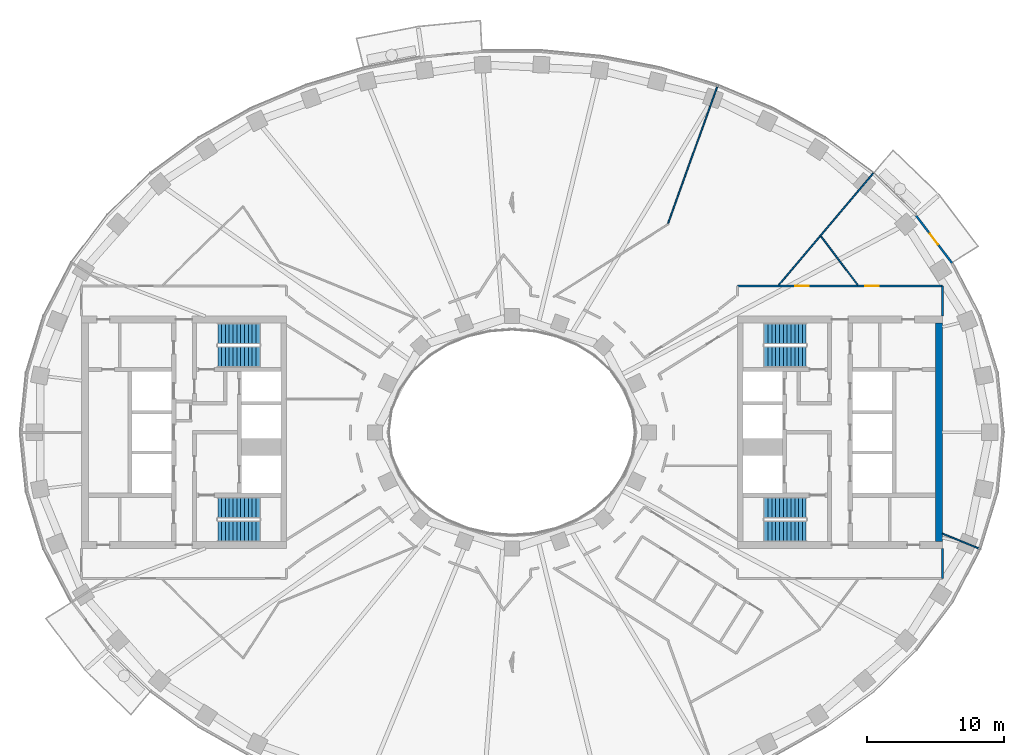
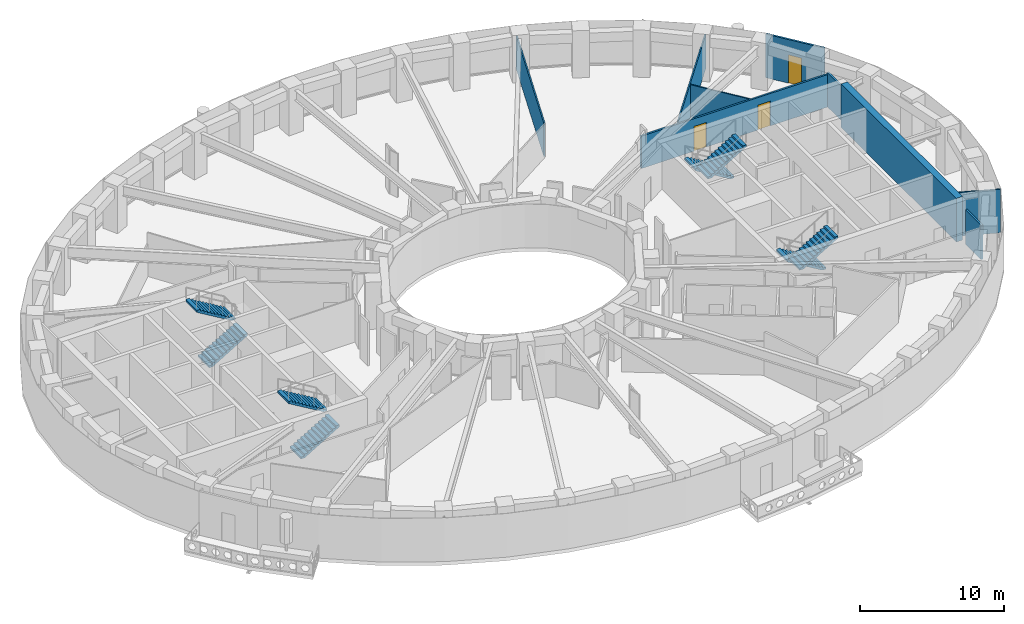
# One storey, part 7 of 16: 9 walls, 8 stair flights, 3 doors, 3 openings, 4 elements without a shape of their own.
"""IFC4 building model written with IfcOpenShell, lengths in metres."""

from ifc_helpers import new_model, si_unit, direction, frame, frame_2d, origin, place, context, subcontext, project, spatial, polyline, rectangle, outline, extrude, material, layer, layer_set, type_object, element, fill, aggregate, save


model = new_model("IFC4")

# Units and contexts
model_context = context("Model", 3, precision=1e-05, world=origin(), true_north=direction((0.0, 1.0)))
body_context = subcontext(model_context, "Body", "Model", "MODEL_VIEW")
ifc_project = project(units=[si_unit("LENGTHUNIT", "METRE"), si_unit("AREAUNIT", "SQUARE_METRE"), si_unit("VOLUMEUNIT", "CUBIC_METRE"), si_unit("PLANEANGLEUNIT", "RADIAN"), si_unit("MASSUNIT", "GRAM", prefix="KILO")], contexts=[model_context])

# Site, building, storey
site_placement = place(None, origin())
site = spatial("IfcSite", under=ifc_project, at=site_placement, CompositionType="ELEMENT")
building_placement = place(site_placement, origin())
building = spatial("IfcBuilding", under=site, at=building_placement, Name="Noorbagh Ring Tower", CompositionType="ELEMENT")
storey_placement = place(building_placement, frame((0.0, 0.0, 162.0)))
storey = spatial("IfcBuildingStorey", under=building, at=storey_placement, Name="L37", CompositionType="ELEMENT", Elevation=162.0)

# Wall
ifc_material_1 = material(Name="Concrete C60/75", Category="concrete")
ifc_layer_1 = layer(ifc_material_1, 0.5)
ifc_layer_set_1 = layer_set([ifc_layer_1], Name="Concrete C60/75")
wall_type_1 = type_object("IfcWallType", Name="CORE-WALL-500-C60-75-EI240", PredefinedType="SHEAR", material=ifc_layer_set_1)
wall_1_placement = place(storey_placement, frame((31.25, -8.0, 0.0), z_axis=(0.0, 0.0, 1.0), x_axis=(0.0, 1.0, 0.0)))
element("IfcWall", 1, at=wall_1_placement, inside=storey, type_object=wall_type_1, Name="Core wall E", PredefinedType="SHEAR", context=body_context, shape_type="SweptSolid", body=[
    extrude(rectangle(XDim=16.0, YDim=0.5, at=frame_2d((8.0, 0.0))), origin(), (0.0, 0.0, 1.0), 3.699951171875),
])

# Wall, openings, doors
ifc_material_2 = material(Name="Gypsum board on steel studs", Category="steel")
ifc_layer_2 = layer(ifc_material_2, 0.14990234375)
ifc_layer_set_2 = layer_set([ifc_layer_2], Name="Gypsum board on steel studs")
wall_type_2 = type_object("IfcWallType", Name="CORRIDOR PARTITION 150 EI 30", PredefinedType="PARTITIONING", material=ifc_layer_set_2)
wall_2_placement = place(storey_placement, frame((16.5, 10.699951171875, 0.0), z_axis=(0.0, 0.0, 1.0), x_axis=(1.0, 0.0, 0.0)))
wall_2 = element("IfcWall", 2, at=wall_2_placement, inside=storey, type_object=wall_type_2, Name="L37/wall/P82", PredefinedType="PARTITIONING", context=body_context, shape_type="SweptSolid", body=[
    extrude(rectangle(XDim=15.0, YDim=0.14990234375, at=frame_2d((7.5, 0.0))), origin(), (0.0, 0.0, 1.0), 2.75),
])
opening_1_placement = place(wall_2_placement, frame((4.2109375, 0.0, 0.0)))
opening_1 = element("IfcOpeningElement", 3, at=opening_1_placement, cuts=wall_2, Name="Opening D1", PredefinedType="OPENING", context=body_context, shape_type="SweptSolid", body=[
    extrude(rectangle(XDim=1.0, YDim=2.10009765625, at=frame_2d((0.5, 1.050048828125))), frame((0.0, 0.0849609375, 0.0), z_axis=(0.0, -1.0, 0.0), x_axis=(1.0, 0.0, 0.0)), (0.0, 0.0, 1.0), 0.169921875),
])
opening_2_placement = place(wall_2_placement, frame((9.35009765625, 0.0, 0.0)))
opening_2 = element("IfcOpeningElement", 4, at=opening_2_placement, cuts=wall_2, Name="Opening D1", PredefinedType="OPENING", context=body_context, shape_type="SweptSolid", body=[
    extrude(rectangle(XDim=1.0, YDim=2.10009765625, at=frame_2d((0.5, 1.050048828125))), frame((0.0, 0.0849609375, 0.0), z_axis=(0.0, -1.0, 0.0), x_axis=(1.0, 0.0, 0.0)), (0.0, 0.0, 1.0), 0.169921875),
])
ifc_material_3 = material(Name="Timber, painted", Category="wood")
door_type_1 = type_object("IfcDoorType", Name="DOOR 1000 X 2100 FD30", OperationType="SINGLE_SWING_LEFT", PredefinedType="DOOR", material=ifc_material_3)
door_1_placement = place(opening_1_placement, origin())
door_1 = element("IfcDoor", 5, at=door_1_placement, inside=storey, type_object=door_type_1, Name="L37-D14", OperationType="SINGLE_SWING_RIGHT", OverallHeight=2.10009765625, OverallWidth=1.0, PredefinedType="DOOR", context=body_context, shape_type="SweptSolid", body=[
    extrude(rectangle(XDim=1.0, YDim=2.10009765625, at=frame_2d((0.5, 1.050048828125))), frame((0.0, 0.02490234375, 0.0), z_axis=(0.0, -1.0, 0.0), x_axis=(1.0, 0.0, 0.0)), (0.0, 0.0, 1.0), 0.050048828125),
])
fill(opening_1, door_1)
door_2_placement = place(opening_2_placement, origin())
door_2 = element("IfcDoor", 6, at=door_2_placement, inside=storey, type_object=door_type_1, Name="L37-D16", OperationType="SINGLE_SWING_RIGHT", OverallHeight=2.10009765625, OverallWidth=1.0, PredefinedType="DOOR", context=body_context, shape_type="SweptSolid", body=[
    extrude(rectangle(XDim=1.0, YDim=2.10009765625, at=frame_2d((0.5, 1.050048828125))), frame((0.0, 0.02490234375, 0.0), z_axis=(0.0, -1.0, 0.0), x_axis=(1.0, 0.0, 0.0)), (0.0, 0.0, 1.0), 0.050048828125),
])
fill(opening_2, door_2)

# Walls
for number, where, z_axis, x_axis, name in (
    (7, (31.5, -10.699951171875, 0.0), (0.0, 0.0, 1.0), (0.0, 1.0, 0.0), "L37/wall/P88"),
    (8, (31.5, 8.5, 0.0), (0.0, 0.0, 1.0), (0.0, 1.0, 0.0), "L37/wall/P90"),
):
    element("IfcWall", number, at=place(storey_placement, frame(where, z_axis=z_axis, x_axis=x_axis)), inside=storey, type_object=wall_type_2, Name=name, PredefinedType="PARTITIONING", context=body_context, shape_type="SweptSolid", body=[
        extrude(rectangle(XDim=2.199951171875, YDim=0.14990234375, at=frame_2d((1.10009765625, 0.0))), origin(), (0.0, 0.0, 1.0), 2.89990234375),
    ])

# Wall, opening, door
ifc_material_4 = material(Name="Insulated aluminium clad panel", Category="aluminium")
ifc_layer_3 = layer(ifc_material_4, 0.14990234375)
ifc_layer_set_3 = layer_set([ifc_layer_3], Name="Insulated aluminium clad panel")
wall_type_3 = type_object("IfcWallType", Name="ENV-WALL-DOOR", PredefinedType="STANDARD", material=ifc_layer_set_3)
wall_3_placement = place(storey_placement, frame((32.20751953125, 12.37353515625, 0.0), z_axis=(0.0, 0.0, 1.0), x_axis=(-0.604045763106, 0.796949632081, 0.0)))
wall_3 = element("IfcWall", 9, at=wall_3_placement, inside=storey, type_object=wall_type_3, Name="Balcony door wall chord 04", PredefinedType="STANDARD", context=body_context, shape_type="SweptSolid", body=[
    extrude(rectangle(XDim=4.42333984375, YDim=0.14990234375, at=frame_2d((2.211669921875, 0.0))), origin(), (0.0, 0.0, 1.0), 3.699951171875),
])
opening_3_placement = place(wall_3_placement, frame((1.711669921875, 0.0, 0.0)))
opening_3 = element("IfcOpeningElement", 10, at=opening_3_placement, cuts=wall_3, Name="Opening D-BL", PredefinedType="OPENING", context=body_context, shape_type="SweptSolid", body=[
    extrude(rectangle(XDim=1.0, YDim=2.39990234375, at=frame_2d((0.5, 1.199951171875))), frame((0.0, 0.0849609375, 0.0), z_axis=(0.0, -1.0, 0.0), x_axis=(1.0, 0.0, 0.0)), (0.0, 0.0, 1.0), 0.169921875),
])
ifc_material_5 = material(Name="Aluminium and glass", Category="aluminium")
door_type_2 = type_object("IfcDoorType", Name="ENV-DOOR-BALCONY", OperationType="SINGLE_SWING_LEFT", PredefinedType="DOOR", material=ifc_material_5)
door_3_placement = place(opening_3_placement, origin())
door_3 = element("IfcDoor", 11, at=door_3_placement, inside=storey, type_object=door_type_2, Name="Balcony door chord 04", OperationType="SINGLE_SWING_RIGHT", OverallHeight=2.39990234375, OverallWidth=1.0, PredefinedType="DOOR", context=body_context, shape_type="SweptSolid", body=[
    extrude(rectangle(XDim=1.0, YDim=2.39990234375, at=frame_2d((0.5, 1.199951171875))), frame((0.0, 0.02490234375, 0.0), z_axis=(0.0, -1.0, 0.0), x_axis=(1.0, 0.0, 0.0)), (0.0, 0.0, 1.0), 0.050048828125),
])
fill(opening_3, door_3)

# Walls
ifc_material_6 = material(Name="Gypsum board on steel studs", Category="steel")
ifc_layer_4 = layer(ifc_material_6, 0.10009765625)
ifc_layer_set_4 = layer_set([ifc_layer_4], Name="Gypsum board on steel studs")
wall_type_4 = type_object("IfcWallType", Name="PARTITION 100 GYPSUM", PredefinedType="PARTITIONING", material=ifc_layer_set_4)
wall_4_placement = place(storey_placement, frame((11.4169921875, 15.281982421875, 0.0), z_axis=(0.0, 0.0, 1.0), x_axis=(0.338283704349, 0.941044172912, 0.0)))
element("IfcWall", 12, at=wall_4_placement, inside=storey, type_object=wall_type_4, Name="L37/wall/P72", PredefinedType="PARTITIONING", context=body_context, shape_type="SweptSolid", body=[
    extrude(rectangle(XDim=10.73388671875, YDim=0.10009765625, at=frame_2d((5.366943359375, 0.0))), origin(), (0.0, 0.0, 1.0), 2.85009765625),
])
wall_5_placement = place(storey_placement, frame((19.510986328125, 10.778076171875, 0.0), z_axis=(0.0, 0.0, 1.0), x_axis=(0.646400187952, 0.762998556365, 0.0)))
element("IfcWall", 13, at=wall_5_placement, inside=storey, type_object=wall_type_4, Name="L37/wall/P85", PredefinedType="PARTITIONING", context=body_context, shape_type="SweptSolid", body=[
    extrude(rectangle(XDim=10.703857421875, YDim=0.10009765625, at=frame_2d((5.35205078125, 0.0))), origin(), (0.0, 0.0, 1.0), 2.89990234375),
])
wall_6_placement = place(storey_placement, frame((22.60595703125, 14.35400390625, 0.0), z_axis=(0.0, 0.0, 1.0), x_axis=(0.602012984229, -0.798486297202, 0.0)))
element("IfcWall", 14, at=wall_6_placement, inside=storey, type_object=wall_type_4, Name="L37/wall/P87", PredefinedType="PARTITIONING", context=body_context, shape_type="SweptSolid", body=[
    extrude(rectangle(XDim=4.478271484375, YDim=0.10009765625, at=frame_2d((2.2392578125, 0.0))), origin(), (0.0, 0.0, 1.0), 2.75),
])
wall_7_placement = place(storey_placement, frame((31.5, -7.409912109375, 0.0), z_axis=(0.0, 0.0, 1.0), x_axis=(0.925344112436, -0.379128307542, 0.0)))
element("IfcWall", 15, at=wall_7_placement, inside=storey, type_object=wall_type_4, Name="L37/wall/P89", PredefinedType="PARTITIONING", context=body_context, shape_type="SweptSolid", body=[
    extrude(rectangle(XDim=2.954345703125, YDim=0.10009765625, at=frame_2d((1.47705078125, 0.0))), origin(), (0.0, 0.0, 1.0), 3.699951171875),
])

# Stair, stair flights
ifc_material_7 = material(Name="Concrete C40/50", Category="concrete")
stair_type = type_object("IfcStairType", Name="CORE-STAIR", PredefinedType="HALF_TURN_STAIR", material=ifc_material_7)
stair_1_placement = place(storey_placement, origin())
stair_1 = element("IfcStair", 16, at=stair_1_placement, inside=storey, type_object=stair_type, Name="L37 Exit stair ST1", PredefinedType="HALF_TURN_STAIR")
ifc_material_8 = material(Name="Concrete C40/50", Category="concrete")
stair_flight_type = type_object("IfcStairFlightType", Name="CORE-STAIR-FLIGHT", PredefinedType="STRAIGHT", material=ifc_material_8)
stair_flight_1_placement = place(storey_placement, frame((-21.530029296875, 5.52490234375, 0.0), z_axis=(0.0, 0.0, 1.0), x_axis=(1.0, 0.0, 0.0)))
stair_flight_1 = element("IfcStairFlight", 17, at=stair_flight_1_placement, type_object=stair_flight_type, Name="ST1 flight 1", NumberOfRisers=12, NumberOfTreads=11, PredefinedType="STRAIGHT", RiserHeight=0.166666667, TreadLength=0.28, context=body_context, shape_type="SweptSolid", body=[
    extrude(outline(polyline([(0.0, 0.0), (0.0, 0.166748046875), (0.280029296875, 0.166748046875), (0.280029296875, 0.333251953125), (0.56005859375, 0.333251953125), (0.56005859375, 0.5), (0.840087890625, 0.5), (0.840087890625, 0.666748046875), (1.1201171875, 0.666748046875), (1.1201171875, 0.833251953125), (1.39990234375, 0.833251953125), (1.39990234375, 1.0), (1.679931640625, 1.0), (1.679931640625, 1.166748046875), (1.9599609375, 1.166748046875), (1.9599609375, 1.333251953125), (2.239990234375, 1.333251953125), (2.239990234375, 1.5), (2.52001953125, 1.5), (2.52001953125, 1.666748046875), (2.800048828125, 1.666748046875), (2.800048828125, 1.833251953125), (3.080078125, 1.833251953125), (3.080078125, 2.0), (3.080078125, 1.658935546875), (0.29296875, 0.0), (0.0, 0.0)])), frame((0.0, 0.77490234375, 0.0), z_axis=(0.0, -1.0, 0.0), x_axis=(1.0, 0.0, 0.0)), (0.0, 0.0, 1.0), 1.550048828125),
])
stair_flight_2_placement = place(storey_placement, frame((-18.449951171875, 7.22509765625, 2.0), z_axis=(0.0, 0.0, 1.0), x_axis=(-1.0, 0.0, 0.0)))
stair_flight_2 = element("IfcStairFlight", 18, at=stair_flight_2_placement, type_object=stair_flight_type, Name="ST1 flight 2", NumberOfRisers=12, NumberOfTreads=11, PredefinedType="STRAIGHT", RiserHeight=0.166666667, TreadLength=0.28, context=body_context, shape_type="SweptSolid", body=[
    extrude(outline(polyline([(0.0, 0.0), (0.0, 0.166748046875), (0.280029296875, 0.166748046875), (0.280029296875, 0.333251953125), (0.56005859375, 0.333251953125), (0.56005859375, 0.5), (0.840087890625, 0.5), (0.840087890625, 0.666748046875), (1.1201171875, 0.666748046875), (1.1201171875, 0.833251953125), (1.39990234375, 0.833251953125), (1.39990234375, 1.0), (1.679931640625, 1.0), (1.679931640625, 1.166748046875), (1.9599609375, 1.166748046875), (1.9599609375, 1.333251953125), (2.239990234375, 1.333251953125), (2.239990234375, 1.5), (2.52001953125, 1.5), (2.52001953125, 1.666748046875), (2.800048828125, 1.666748046875), (2.800048828125, 1.833251953125), (3.080078125, 1.833251953125), (3.080078125, 2.0), (3.080078125, 1.658935546875), (0.29296875, 0.0), (0.0, 0.0)])), frame((0.0, 0.77490234375, 0.0), z_axis=(0.0, -1.0, 0.0), x_axis=(1.0, 0.0, 0.0)), (0.0, 0.0, 1.0), 1.550048828125),
])
aggregate(stair_1, [stair_flight_1, stair_flight_2])

stair_2_placement = place(storey_placement, origin())
stair_2 = element("IfcStair", 19, at=stair_2_placement, inside=storey, type_object=stair_type, Name="L37 Exit stair ST2", PredefinedType="HALF_TURN_STAIR")
stair_flight_3_placement = place(storey_placement, frame((-21.530029296875, -7.22509765625, 0.0), z_axis=(0.0, 0.0, 1.0), x_axis=(1.0, 0.0, 0.0)))
stair_flight_3 = element("IfcStairFlight", 20, at=stair_flight_3_placement, type_object=stair_flight_type, Name="ST2 flight 1", NumberOfRisers=12, NumberOfTreads=11, PredefinedType="STRAIGHT", RiserHeight=0.166666667, TreadLength=0.28, context=body_context, shape_type="SweptSolid", body=[
    extrude(outline(polyline([(0.0, 0.0), (0.0, 0.166748046875), (0.280029296875, 0.166748046875), (0.280029296875, 0.333251953125), (0.56005859375, 0.333251953125), (0.56005859375, 0.5), (0.840087890625, 0.5), (0.840087890625, 0.666748046875), (1.1201171875, 0.666748046875), (1.1201171875, 0.833251953125), (1.39990234375, 0.833251953125), (1.39990234375, 1.0), (1.679931640625, 1.0), (1.679931640625, 1.166748046875), (1.9599609375, 1.166748046875), (1.9599609375, 1.333251953125), (2.239990234375, 1.333251953125), (2.239990234375, 1.5), (2.52001953125, 1.5), (2.52001953125, 1.666748046875), (2.800048828125, 1.666748046875), (2.800048828125, 1.833251953125), (3.080078125, 1.833251953125), (3.080078125, 2.0), (3.080078125, 1.658935546875), (0.29296875, 0.0), (0.0, 0.0)])), frame((0.0, 0.77490234375, 0.0), z_axis=(0.0, -1.0, 0.0), x_axis=(1.0, 0.0, 0.0)), (0.0, 0.0, 1.0), 1.550048828125),
])
stair_flight_4_placement = place(storey_placement, frame((-18.449951171875, -5.52490234375, 2.0), z_axis=(0.0, 0.0, 1.0), x_axis=(-1.0, 0.0, 0.0)))
stair_flight_4 = element("IfcStairFlight", 21, at=stair_flight_4_placement, type_object=stair_flight_type, Name="ST2 flight 2", NumberOfRisers=12, NumberOfTreads=11, PredefinedType="STRAIGHT", RiserHeight=0.166666667, TreadLength=0.28, context=body_context, shape_type="SweptSolid", body=[
    extrude(outline(polyline([(0.0, 0.0), (0.0, 0.166748046875), (0.280029296875, 0.166748046875), (0.280029296875, 0.333251953125), (0.56005859375, 0.333251953125), (0.56005859375, 0.5), (0.840087890625, 0.5), (0.840087890625, 0.666748046875), (1.1201171875, 0.666748046875), (1.1201171875, 0.833251953125), (1.39990234375, 0.833251953125), (1.39990234375, 1.0), (1.679931640625, 1.0), (1.679931640625, 1.166748046875), (1.9599609375, 1.166748046875), (1.9599609375, 1.333251953125), (2.239990234375, 1.333251953125), (2.239990234375, 1.5), (2.52001953125, 1.5), (2.52001953125, 1.666748046875), (2.800048828125, 1.666748046875), (2.800048828125, 1.833251953125), (3.080078125, 1.833251953125), (3.080078125, 2.0), (3.080078125, 1.658935546875), (0.29296875, 0.0), (0.0, 0.0)])), frame((0.0, 0.77490234375, 0.0), z_axis=(0.0, -1.0, 0.0), x_axis=(1.0, 0.0, 0.0)), (0.0, 0.0, 1.0), 1.550048828125),
])
aggregate(stair_2, [stair_flight_3, stair_flight_4])

stair_3_placement = place(storey_placement, origin())
stair_3 = element("IfcStair", 22, at=stair_3_placement, inside=storey, type_object=stair_type, Name="L37 Exit stair ST3", PredefinedType="HALF_TURN_STAIR")
stair_flight_5_placement = place(storey_placement, frame((21.530029296875, 7.22509765625, 0.0), z_axis=(0.0, 0.0, 1.0), x_axis=(-1.0, 0.0, 0.0)))
stair_flight_5 = element("IfcStairFlight", 23, at=stair_flight_5_placement, type_object=stair_flight_type, Name="ST3 flight 1", NumberOfRisers=12, NumberOfTreads=11, PredefinedType="STRAIGHT", RiserHeight=0.166666667, TreadLength=0.28, context=body_context, shape_type="SweptSolid", body=[
    extrude(outline(polyline([(0.0, 0.0), (0.0, 0.166748046875), (0.280029296875, 0.166748046875), (0.280029296875, 0.333251953125), (0.56005859375, 0.333251953125), (0.56005859375, 0.5), (0.840087890625, 0.5), (0.840087890625, 0.666748046875), (1.1201171875, 0.666748046875), (1.1201171875, 0.833251953125), (1.39990234375, 0.833251953125), (1.39990234375, 1.0), (1.679931640625, 1.0), (1.679931640625, 1.166748046875), (1.9599609375, 1.166748046875), (1.9599609375, 1.333251953125), (2.239990234375, 1.333251953125), (2.239990234375, 1.5), (2.52001953125, 1.5), (2.52001953125, 1.666748046875), (2.800048828125, 1.666748046875), (2.800048828125, 1.833251953125), (3.080078125, 1.833251953125), (3.080078125, 2.0), (3.080078125, 1.658935546875), (0.29296875, 0.0), (0.0, 0.0)])), frame((0.0, 0.77490234375, 0.0), z_axis=(0.0, -1.0, 0.0), x_axis=(1.0, 0.0, 0.0)), (0.0, 0.0, 1.0), 1.550048828125),
])
stair_flight_6_placement = place(storey_placement, frame((18.449951171875, 5.52490234375, 2.0), z_axis=(0.0, 0.0, 1.0), x_axis=(1.0, 0.0, 0.0)))
stair_flight_6 = element("IfcStairFlight", 24, at=stair_flight_6_placement, type_object=stair_flight_type, Name="ST3 flight 2", NumberOfRisers=12, NumberOfTreads=11, PredefinedType="STRAIGHT", RiserHeight=0.166666667, TreadLength=0.28, context=body_context, shape_type="SweptSolid", body=[
    extrude(outline(polyline([(0.0, 0.0), (0.0, 0.166748046875), (0.280029296875, 0.166748046875), (0.280029296875, 0.333251953125), (0.56005859375, 0.333251953125), (0.56005859375, 0.5), (0.840087890625, 0.5), (0.840087890625, 0.666748046875), (1.1201171875, 0.666748046875), (1.1201171875, 0.833251953125), (1.39990234375, 0.833251953125), (1.39990234375, 1.0), (1.679931640625, 1.0), (1.679931640625, 1.166748046875), (1.9599609375, 1.166748046875), (1.9599609375, 1.333251953125), (2.239990234375, 1.333251953125), (2.239990234375, 1.5), (2.52001953125, 1.5), (2.52001953125, 1.666748046875), (2.800048828125, 1.666748046875), (2.800048828125, 1.833251953125), (3.080078125, 1.833251953125), (3.080078125, 2.0), (3.080078125, 1.658935546875), (0.29296875, 0.0), (0.0, 0.0)])), frame((0.0, 0.77490234375, 0.0), z_axis=(0.0, -1.0, 0.0), x_axis=(1.0, 0.0, 0.0)), (0.0, 0.0, 1.0), 1.550048828125),
])
aggregate(stair_3, [stair_flight_5, stair_flight_6])

stair_4_placement = place(storey_placement, origin())
stair_4 = element("IfcStair", 25, at=stair_4_placement, inside=storey, type_object=stair_type, Name="L37 Exit stair ST4", PredefinedType="HALF_TURN_STAIR")
stair_flight_7_placement = place(storey_placement, frame((21.530029296875, -5.52490234375, 0.0), z_axis=(0.0, 0.0, 1.0), x_axis=(-1.0, 0.0, 0.0)))
stair_flight_7 = element("IfcStairFlight", 26, at=stair_flight_7_placement, type_object=stair_flight_type, Name="ST4 flight 1", NumberOfRisers=12, NumberOfTreads=11, PredefinedType="STRAIGHT", RiserHeight=0.166666667, TreadLength=0.28, context=body_context, shape_type="SweptSolid", body=[
    extrude(outline(polyline([(0.0, 0.0), (0.0, 0.166748046875), (0.280029296875, 0.166748046875), (0.280029296875, 0.333251953125), (0.56005859375, 0.333251953125), (0.56005859375, 0.5), (0.840087890625, 0.5), (0.840087890625, 0.666748046875), (1.1201171875, 0.666748046875), (1.1201171875, 0.833251953125), (1.39990234375, 0.833251953125), (1.39990234375, 1.0), (1.679931640625, 1.0), (1.679931640625, 1.166748046875), (1.9599609375, 1.166748046875), (1.9599609375, 1.333251953125), (2.239990234375, 1.333251953125), (2.239990234375, 1.5), (2.52001953125, 1.5), (2.52001953125, 1.666748046875), (2.800048828125, 1.666748046875), (2.800048828125, 1.833251953125), (3.080078125, 1.833251953125), (3.080078125, 2.0), (3.080078125, 1.658935546875), (0.29296875, 0.0), (0.0, 0.0)])), frame((0.0, 0.77490234375, 0.0), z_axis=(0.0, -1.0, 0.0), x_axis=(1.0, 0.0, 0.0)), (0.0, 0.0, 1.0), 1.550048828125),
])
stair_flight_8_placement = place(storey_placement, frame((18.449951171875, -7.22509765625, 2.0), z_axis=(0.0, 0.0, 1.0), x_axis=(1.0, 0.0, 0.0)))
stair_flight_8 = element("IfcStairFlight", 27, at=stair_flight_8_placement, type_object=stair_flight_type, Name="ST4 flight 2", NumberOfRisers=12, NumberOfTreads=11, PredefinedType="STRAIGHT", RiserHeight=0.166666667, TreadLength=0.28, context=body_context, shape_type="SweptSolid", body=[
    extrude(outline(polyline([(0.0, 0.0), (0.0, 0.166748046875), (0.280029296875, 0.166748046875), (0.280029296875, 0.333251953125), (0.56005859375, 0.333251953125), (0.56005859375, 0.5), (0.840087890625, 0.5), (0.840087890625, 0.666748046875), (1.1201171875, 0.666748046875), (1.1201171875, 0.833251953125), (1.39990234375, 0.833251953125), (1.39990234375, 1.0), (1.679931640625, 1.0), (1.679931640625, 1.166748046875), (1.9599609375, 1.166748046875), (1.9599609375, 1.333251953125), (2.239990234375, 1.333251953125), (2.239990234375, 1.5), (2.52001953125, 1.5), (2.52001953125, 1.666748046875), (2.800048828125, 1.666748046875), (2.800048828125, 1.833251953125), (3.080078125, 1.833251953125), (3.080078125, 2.0), (3.080078125, 1.658935546875), (0.29296875, 0.0), (0.0, 0.0)])), frame((0.0, 0.77490234375, 0.0), z_axis=(0.0, -1.0, 0.0), x_axis=(1.0, 0.0, 0.0)), (0.0, 0.0, 1.0), 1.550048828125),
])
aggregate(stair_4, [stair_flight_7, stair_flight_8])

save(model, "model.ifc")
